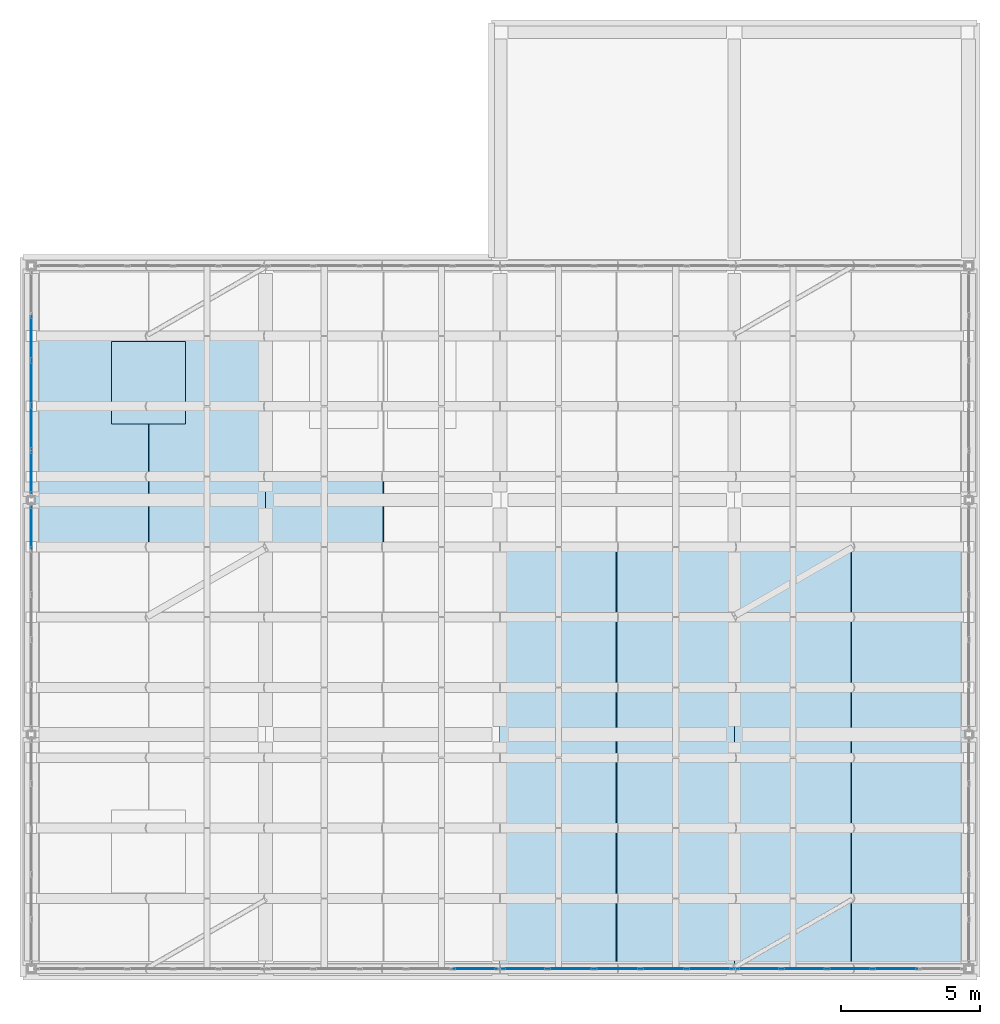
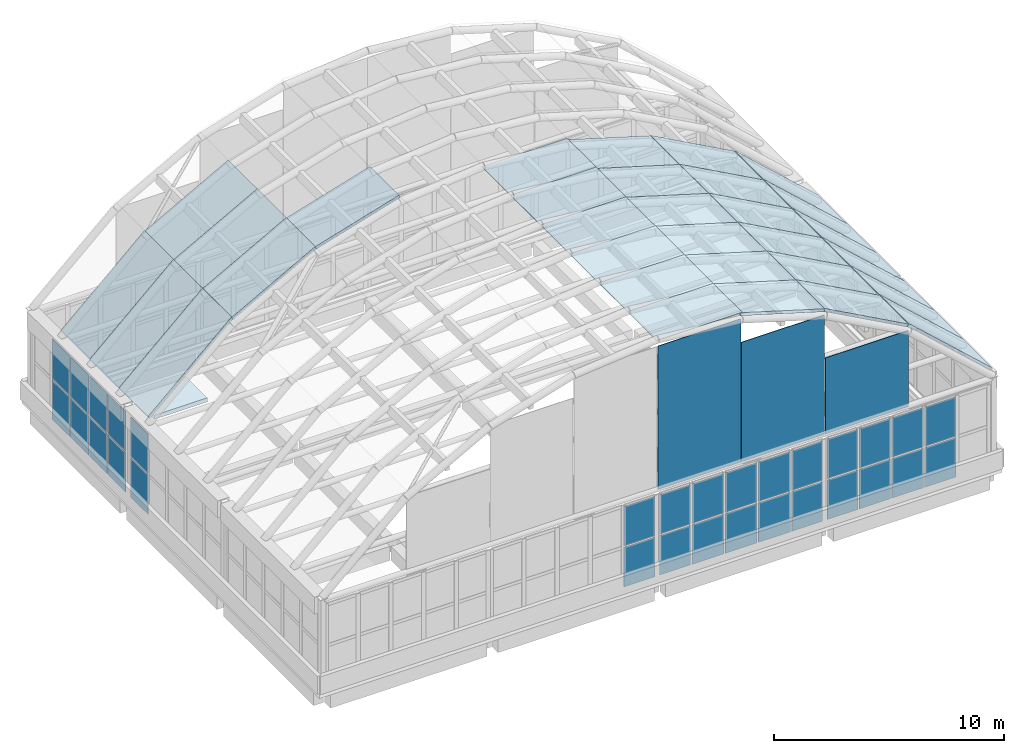
# One storey, part 23 of 26: 39 plates, 26 slabs, 5 elements without a shape of their own.
"""IFC4 building model written with IfcOpenShell, lengths in metres."""

from ifc_helpers import new_model, si_unit, direction, frame, origin, origin_2d, place, context, subcontext, project, spatial, polyline, rectangle, outline, extrude, material, layer, layer_set, type_object, element, aggregate, save


model = new_model("IFC4")

# Units and contexts
model_context = context("Model", 3, precision=1e-05, world=origin(), true_north=direction((0.0, 1.0)))
body_context = subcontext(model_context, "Body", "Model", "MODEL_VIEW")
ifc_project = project(units=[si_unit("LENGTHUNIT", "METRE"), si_unit("AREAUNIT", "SQUARE_METRE"), si_unit("VOLUMEUNIT", "CUBIC_METRE"), si_unit("PLANEANGLEUNIT", "RADIAN"), si_unit("MASSUNIT", "GRAM", prefix="KILO")], contexts=[model_context])

# Site, building, storey
site_placement = place(None, origin())
site = spatial("IfcSite", under=ifc_project, at=site_placement, CompositionType="ELEMENT")
building_placement = place(site_placement, origin())
building = spatial("IfcBuilding", under=site, at=building_placement, Name="Xazarin Passage Department Store", CompositionType="ELEMENT")
storey_placement = place(building_placement, frame((0.0, 0.0, 36.89990234375)))
storey = spatial("IfcBuildingStorey", under=building, at=storey_placement, Name="RF", CompositionType="ELEMENT", Elevation=36.89990234375)

# Curtain wall, plates
ifc_material_1 = material(Name="Bronze anodised aluminium", Category="aluminium")
ifc_layer_1 = layer(ifc_material_1, 0.199951171875)
ifc_layer_set_1 = layer_set([ifc_layer_1], Name="Bronze anodised aluminium")
curtain_wall_type = type_object("IfcCurtainWallType", Name="ARC-CW-VIT2", PredefinedType="NOTDEFINED", material=ifc_layer_set_1)
curtain_wall_1_placement = place(storey_placement, origin())
curtain_wall_1 = element("IfcCurtainWall", 1, at=curtain_wall_1_placement, inside=storey, type_object=curtain_wall_type, Name="RF V1 Atrium Lantern Curtain Wall 03", PredefinedType="NOTDEFINED")
ifc_material_2 = material(Name="Low-E laminated safety glass", Category="glass")
ifc_layer_2 = layer(ifc_material_2, 0.031982421875)
ifc_layer_set_2 = layer_set([ifc_layer_2], Name="Low-E laminated safety glass")
plate_type_1 = type_object("IfcPlateType", Name="ARC-CWP-GLZ32", PredefinedType="CURTAIN_PANEL", material=ifc_layer_set_2)
plate_1_placement = place(storey_placement, frame((0.0, 92.213134765625, 0.0751953125), z_axis=(0.0, 0.0, 1.0), x_axis=(0.0, 1.0, 0.0)))
plate_1 = element("IfcPlate", 2, at=plate_1_placement, type_object=plate_type_1, Name="CW2 panel 5.1", PredefinedType="CURTAIN_PANEL", context=body_context, shape_type="SweptSolid", body=[
    extrude(rectangle(XDim=1.50341796875, YDim=0.031982421875, at=origin_2d()), origin(), (0.0, 0.0, 1.0), 2.089599609375),
])
plate_2_placement = place(storey_placement, frame((0.0, 92.213134765625, 2.23974609375), z_axis=(0.0, 0.0, 1.0), x_axis=(0.0, 1.0, 0.0)))
plate_2 = element("IfcPlate", 3, at=plate_2_placement, type_object=plate_type_1, Name="CW2 panel 5.2", PredefinedType="CURTAIN_PANEL", context=body_context, shape_type="SweptSolid", body=[
    extrude(rectangle(XDim=1.50341796875, YDim=0.031982421875, at=origin_2d()), origin(), (0.0, 0.0, 1.0), 2.089599609375),
])
aggregate(curtain_wall_1, [plate_1, plate_2])

curtain_wall_2_placement = place(storey_placement, origin())
curtain_wall_2 = element("IfcCurtainWall", 4, at=curtain_wall_2_placement, inside=storey, type_object=curtain_wall_type, Name="RF V1 Atrium Lantern Curtain Wall 05", PredefinedType="NOTDEFINED")
plate_3_placement = place(storey_placement, frame((0.0, 94.186767578125, 0.0751953125), z_axis=(0.0, 0.0, 1.0), x_axis=(0.0, 1.0, 0.0)))
plate_3 = element("IfcPlate", 5, at=plate_3_placement, type_object=plate_type_1, Name="CW2 panel 1.1", PredefinedType="CURTAIN_PANEL", context=body_context, shape_type="SweptSolid", body=[
    extrude(rectangle(XDim=1.50341796875, YDim=0.031982421875, at=origin_2d()), origin(), (0.0, 0.0, 1.0), 2.089599609375),
])
plate_4_placement = place(storey_placement, frame((0.0, 94.186767578125, 2.23974609375), z_axis=(0.0, 0.0, 1.0), x_axis=(0.0, 1.0, 0.0)))
plate_4 = element("IfcPlate", 6, at=plate_4_placement, type_object=plate_type_1, Name="CW2 panel 1.2", PredefinedType="CURTAIN_PANEL", context=body_context, shape_type="SweptSolid", body=[
    extrude(rectangle(XDim=1.50341796875, YDim=0.031982421875, at=origin_2d()), origin(), (0.0, 0.0, 1.0), 2.089599609375),
])
plate_5_placement = place(storey_placement, frame((0.0, 95.783935546875, 0.0751953125), z_axis=(0.0, 0.0, 1.0), x_axis=(0.0, 1.0, 0.0)))
plate_5 = element("IfcPlate", 7, at=plate_5_placement, type_object=plate_type_1, Name="CW2 panel 2.1", PredefinedType="CURTAIN_PANEL", context=body_context, shape_type="SweptSolid", body=[
    extrude(rectangle(XDim=1.541015625, YDim=0.031982421875, at=origin_2d()), origin(), (0.0, 0.0, 1.0), 2.089599609375),
])
plate_6_placement = place(storey_placement, frame((0.0, 95.783935546875, 2.23974609375), z_axis=(0.0, 0.0, 1.0), x_axis=(0.0, 1.0, 0.0)))
plate_6 = element("IfcPlate", 8, at=plate_6_placement, type_object=plate_type_1, Name="CW2 panel 2.2", PredefinedType="CURTAIN_PANEL", context=body_context, shape_type="SweptSolid", body=[
    extrude(rectangle(XDim=1.541015625, YDim=0.031982421875, at=origin_2d()), origin(), (0.0, 0.0, 1.0), 2.089599609375),
])
plate_7_placement = place(storey_placement, frame((0.0, 97.39990234375, 0.0751953125), z_axis=(0.0, 0.0, 1.0), x_axis=(0.0, 1.0, 0.0)))
plate_7 = element("IfcPlate", 9, at=plate_7_placement, type_object=plate_type_1, Name="CW2 panel 3.1", PredefinedType="CURTAIN_PANEL", context=body_context, shape_type="SweptSolid", body=[
    extrude(rectangle(XDim=1.541015625, YDim=0.031982421875, at=origin_2d()), origin(), (0.0, 0.0, 1.0), 2.089599609375),
])
plate_8_placement = place(storey_placement, frame((0.0, 97.39990234375, 2.23974609375), z_axis=(0.0, 0.0, 1.0), x_axis=(0.0, 1.0, 0.0)))
plate_8 = element("IfcPlate", 10, at=plate_8_placement, type_object=plate_type_1, Name="CW2 panel 3.2", PredefinedType="CURTAIN_PANEL", context=body_context, shape_type="SweptSolid", body=[
    extrude(rectangle(XDim=1.541015625, YDim=0.031982421875, at=origin_2d()), origin(), (0.0, 0.0, 1.0), 2.089599609375),
])
plate_9_placement = place(storey_placement, frame((0.0, 99.01611328125, 0.0751953125), z_axis=(0.0, 0.0, 1.0), x_axis=(0.0, 1.0, 0.0)))
plate_9 = element("IfcPlate", 11, at=plate_9_placement, type_object=plate_type_1, Name="CW2 panel 4.1", PredefinedType="CURTAIN_PANEL", context=body_context, shape_type="SweptSolid", body=[
    extrude(rectangle(XDim=1.541015625, YDim=0.031982421875, at=origin_2d()), origin(), (0.0, 0.0, 1.0), 2.089599609375),
])
plate_10_placement = place(storey_placement, frame((0.0, 99.01611328125, 2.23974609375), z_axis=(0.0, 0.0, 1.0), x_axis=(0.0, 1.0, 0.0)))
plate_10 = element("IfcPlate", 12, at=plate_10_placement, type_object=plate_type_1, Name="CW2 panel 4.2", PredefinedType="CURTAIN_PANEL", context=body_context, shape_type="SweptSolid", body=[
    extrude(rectangle(XDim=1.541015625, YDim=0.031982421875, at=origin_2d()), origin(), (0.0, 0.0, 1.0), 2.089599609375),
])
aggregate(curtain_wall_2, [plate_3, plate_4, plate_5, plate_6, plate_7, plate_8, plate_9, plate_10])

curtain_wall_3_placement = place(storey_placement, origin())
curtain_wall_3 = element("IfcCurtainWall", 13, at=curtain_wall_3_placement, inside=storey, type_object=curtain_wall_type, Name="RF V1 Atrium Lantern Curtain Wall 09", PredefinedType="NOTDEFINED")
plate_11_placement = place(storey_placement, frame((15.9091796875, 76.39990234375, 0.0751953125), z_axis=(0.0, 0.0, 1.0), x_axis=(1.0, 0.0, 0.0)))
plate_11 = element("IfcPlate", 14, at=plate_11_placement, type_object=plate_type_1, Name="CW2 panel 5.1", PredefinedType="CURTAIN_PANEL", context=body_context, shape_type="SweptSolid", body=[
    extrude(rectangle(XDim=1.551513671875, YDim=0.031982421875, at=origin_2d()), origin(), (0.0, 0.0, 1.0), 2.089599609375),
])
plate_12_placement = place(storey_placement, frame((15.9091796875, 76.39990234375, 2.23974609375), z_axis=(0.0, 0.0, 1.0), x_axis=(1.0, 0.0, 0.0)))
plate_12 = element("IfcPlate", 15, at=plate_12_placement, type_object=plate_type_1, Name="CW2 panel 5.2", PredefinedType="CURTAIN_PANEL", context=body_context, shape_type="SweptSolid", body=[
    extrude(rectangle(XDim=1.551513671875, YDim=0.031982421875, at=origin_2d()), origin(), (0.0, 0.0, 1.0), 2.089599609375),
])
aggregate(curtain_wall_3, [plate_11, plate_12])

curtain_wall_4_placement = place(storey_placement, origin())
curtain_wall_4 = element("IfcCurtainWall", 16, at=curtain_wall_4_placement, inside=storey, type_object=curtain_wall_type, Name="RF V1 Atrium Lantern Curtain Wall 11", PredefinedType="NOTDEFINED")
plate_13_placement = place(storey_placement, frame((17.690673828125, 76.39990234375, 0.0751953125), z_axis=(0.0, 0.0, 1.0), x_axis=(1.0, 0.0, 0.0)))
plate_13 = element("IfcPlate", 17, at=plate_13_placement, type_object=plate_type_1, Name="CW2 panel 1.1", PredefinedType="CURTAIN_PANEL", context=body_context, shape_type="SweptSolid", body=[
    extrude(rectangle(XDim=1.551513671875, YDim=0.031982421875, at=origin_2d()), origin(), (0.0, 0.0, 1.0), 2.089599609375),
])
plate_14_placement = place(storey_placement, frame((17.690673828125, 76.39990234375, 2.23974609375), z_axis=(0.0, 0.0, 1.0), x_axis=(1.0, 0.0, 0.0)))
plate_14 = element("IfcPlate", 18, at=plate_14_placement, type_object=plate_type_1, Name="CW2 panel 1.2", PredefinedType="CURTAIN_PANEL", context=body_context, shape_type="SweptSolid", body=[
    extrude(rectangle(XDim=1.551513671875, YDim=0.031982421875, at=origin_2d()), origin(), (0.0, 0.0, 1.0), 2.089599609375),
])
plate_15_placement = place(storey_placement, frame((19.3359375, 76.39990234375, 0.0751953125), z_axis=(0.0, 0.0, 1.0), x_axis=(1.0, 0.0, 0.0)))
plate_15 = element("IfcPlate", 19, at=plate_15_placement, type_object=plate_type_1, Name="CW2 panel 2.1", PredefinedType="CURTAIN_PANEL", context=body_context, shape_type="SweptSolid", body=[
    extrude(rectangle(XDim=1.589111328125, YDim=0.031982421875, at=origin_2d()), origin(), (0.0, 0.0, 1.0), 2.089599609375),
])
plate_16_placement = place(storey_placement, frame((19.3359375, 76.39990234375, 2.23974609375), z_axis=(0.0, 0.0, 1.0), x_axis=(1.0, 0.0, 0.0)))
plate_16 = element("IfcPlate", 20, at=plate_16_placement, type_object=plate_type_1, Name="CW2 panel 2.2", PredefinedType="CURTAIN_PANEL", context=body_context, shape_type="SweptSolid", body=[
    extrude(rectangle(XDim=1.589111328125, YDim=0.031982421875, at=origin_2d()), origin(), (0.0, 0.0, 1.0), 2.089599609375),
])
plate_17_placement = place(storey_placement, frame((21.0, 76.39990234375, 0.0751953125), z_axis=(0.0, 0.0, 1.0), x_axis=(1.0, 0.0, 0.0)))
plate_17 = element("IfcPlate", 21, at=plate_17_placement, type_object=plate_type_1, Name="CW2 panel 3.1", PredefinedType="CURTAIN_PANEL", context=body_context, shape_type="SweptSolid", body=[
    extrude(rectangle(XDim=1.589111328125, YDim=0.031982421875, at=origin_2d()), origin(), (0.0, 0.0, 1.0), 2.089599609375),
])
plate_18_placement = place(storey_placement, frame((21.0, 76.39990234375, 2.23974609375), z_axis=(0.0, 0.0, 1.0), x_axis=(1.0, 0.0, 0.0)))
plate_18 = element("IfcPlate", 22, at=plate_18_placement, type_object=plate_type_1, Name="CW2 panel 3.2", PredefinedType="CURTAIN_PANEL", context=body_context, shape_type="SweptSolid", body=[
    extrude(rectangle(XDim=1.589111328125, YDim=0.031982421875, at=origin_2d()), origin(), (0.0, 0.0, 1.0), 2.089599609375),
])
plate_19_placement = place(storey_placement, frame((22.6640625, 76.39990234375, 0.0751953125), z_axis=(0.0, 0.0, 1.0), x_axis=(1.0, 0.0, 0.0)))
plate_19 = element("IfcPlate", 23, at=plate_19_placement, type_object=plate_type_1, Name="CW2 panel 4.1", PredefinedType="CURTAIN_PANEL", context=body_context, shape_type="SweptSolid", body=[
    extrude(rectangle(XDim=1.589111328125, YDim=0.031982421875, at=origin_2d()), origin(), (0.0, 0.0, 1.0), 2.089599609375),
])
plate_20_placement = place(storey_placement, frame((22.6640625, 76.39990234375, 2.23974609375), z_axis=(0.0, 0.0, 1.0), x_axis=(1.0, 0.0, 0.0)))
plate_20 = element("IfcPlate", 24, at=plate_20_placement, type_object=plate_type_1, Name="CW2 panel 4.2", PredefinedType="CURTAIN_PANEL", context=body_context, shape_type="SweptSolid", body=[
    extrude(rectangle(XDim=1.589111328125, YDim=0.031982421875, at=origin_2d()), origin(), (0.0, 0.0, 1.0), 2.089599609375),
])
plate_21_placement = place(storey_placement, frame((24.309326171875, 76.39990234375, 0.0751953125), z_axis=(0.0, 0.0, 1.0), x_axis=(1.0, 0.0, 0.0)))
plate_21 = element("IfcPlate", 25, at=plate_21_placement, type_object=plate_type_1, Name="CW2 panel 5.1", PredefinedType="CURTAIN_PANEL", context=body_context, shape_type="SweptSolid", body=[
    extrude(rectangle(XDim=1.551513671875, YDim=0.031982421875, at=origin_2d()), origin(), (0.0, 0.0, 1.0), 2.089599609375),
])
plate_22_placement = place(storey_placement, frame((24.309326171875, 76.39990234375, 2.23974609375), z_axis=(0.0, 0.0, 1.0), x_axis=(1.0, 0.0, 0.0)))
plate_22 = element("IfcPlate", 26, at=plate_22_placement, type_object=plate_type_1, Name="CW2 panel 5.2", PredefinedType="CURTAIN_PANEL", context=body_context, shape_type="SweptSolid", body=[
    extrude(rectangle(XDim=1.551513671875, YDim=0.031982421875, at=origin_2d()), origin(), (0.0, 0.0, 1.0), 2.089599609375),
])
aggregate(curtain_wall_4, [plate_13, plate_14, plate_15, plate_16, plate_17, plate_18, plate_19, plate_20, plate_21, plate_22])

curtain_wall_5_placement = place(storey_placement, origin())
curtain_wall_5 = element("IfcCurtainWall", 27, at=curtain_wall_5_placement, inside=storey, type_object=curtain_wall_type, Name="RF V1 Atrium Lantern Curtain Wall 13", PredefinedType="NOTDEFINED")
plate_23_placement = place(storey_placement, frame((26.078857421875, 76.39990234375, 0.0751953125), z_axis=(0.0, 0.0, 1.0), x_axis=(1.0, 0.0, 0.0)))
plate_23 = element("IfcPlate", 28, at=plate_23_placement, type_object=plate_type_1, Name="CW2 panel 1.1", PredefinedType="CURTAIN_PANEL", context=body_context, shape_type="SweptSolid", body=[
    extrude(rectangle(XDim=1.527587890625, YDim=0.031982421875, at=origin_2d()), origin(), (0.0, 0.0, 1.0), 2.089599609375),
])
plate_24_placement = place(storey_placement, frame((26.078857421875, 76.39990234375, 2.23974609375), z_axis=(0.0, 0.0, 1.0), x_axis=(1.0, 0.0, 0.0)))
plate_24 = element("IfcPlate", 29, at=plate_24_placement, type_object=plate_type_1, Name="CW2 panel 1.2", PredefinedType="CURTAIN_PANEL", context=body_context, shape_type="SweptSolid", body=[
    extrude(rectangle(XDim=1.527587890625, YDim=0.031982421875, at=origin_2d()), origin(), (0.0, 0.0, 1.0), 2.089599609375),
])
plate_25_placement = place(storey_placement, frame((27.699951171875, 76.39990234375, 0.0751953125), z_axis=(0.0, 0.0, 1.0), x_axis=(1.0, 0.0, 0.0)))
plate_25 = element("IfcPlate", 30, at=plate_25_placement, type_object=plate_type_1, Name="CW2 panel 2.1", PredefinedType="CURTAIN_PANEL", context=body_context, shape_type="SweptSolid", body=[
    extrude(rectangle(XDim=1.56494140625, YDim=0.031982421875, at=origin_2d()), origin(), (0.0, 0.0, 1.0), 2.089599609375),
])
plate_26_placement = place(storey_placement, frame((27.699951171875, 76.39990234375, 2.23974609375), z_axis=(0.0, 0.0, 1.0), x_axis=(1.0, 0.0, 0.0)))
plate_26 = element("IfcPlate", 31, at=plate_26_placement, type_object=plate_type_1, Name="CW2 panel 2.2", PredefinedType="CURTAIN_PANEL", context=body_context, shape_type="SweptSolid", body=[
    extrude(rectangle(XDim=1.56494140625, YDim=0.031982421875, at=origin_2d()), origin(), (0.0, 0.0, 1.0), 2.089599609375),
])
plate_27_placement = place(storey_placement, frame((29.340087890625, 76.39990234375, 0.0751953125), z_axis=(0.0, 0.0, 1.0), x_axis=(1.0, 0.0, 0.0)))
plate_27 = element("IfcPlate", 32, at=plate_27_placement, type_object=plate_type_1, Name="CW2 panel 3.1", PredefinedType="CURTAIN_PANEL", context=body_context, shape_type="SweptSolid", body=[
    extrude(rectangle(XDim=1.56494140625, YDim=0.031982421875, at=origin_2d()), origin(), (0.0, 0.0, 1.0), 2.089599609375),
])
plate_28_placement = place(storey_placement, frame((29.340087890625, 76.39990234375, 2.23974609375), z_axis=(0.0, 0.0, 1.0), x_axis=(1.0, 0.0, 0.0)))
plate_28 = element("IfcPlate", 33, at=plate_28_placement, type_object=plate_type_1, Name="CW2 panel 3.2", PredefinedType="CURTAIN_PANEL", context=body_context, shape_type="SweptSolid", body=[
    extrude(rectangle(XDim=1.56494140625, YDim=0.031982421875, at=origin_2d()), origin(), (0.0, 0.0, 1.0), 2.089599609375),
])
plate_29_placement = place(storey_placement, frame((30.97998046875, 76.39990234375, 0.0751953125), z_axis=(0.0, 0.0, 1.0), x_axis=(1.0, 0.0, 0.0)))
plate_29 = element("IfcPlate", 34, at=plate_29_placement, type_object=plate_type_1, Name="CW2 panel 4.1", PredefinedType="CURTAIN_PANEL", context=body_context, shape_type="SweptSolid", body=[
    extrude(rectangle(XDim=1.56494140625, YDim=0.031982421875, at=origin_2d()), origin(), (0.0, 0.0, 1.0), 2.089599609375),
])
plate_30_placement = place(storey_placement, frame((30.97998046875, 76.39990234375, 2.23974609375), z_axis=(0.0, 0.0, 1.0), x_axis=(1.0, 0.0, 0.0)))
plate_30 = element("IfcPlate", 35, at=plate_30_placement, type_object=plate_type_1, Name="CW2 panel 4.2", PredefinedType="CURTAIN_PANEL", context=body_context, shape_type="SweptSolid", body=[
    extrude(rectangle(XDim=1.56494140625, YDim=0.031982421875, at=origin_2d()), origin(), (0.0, 0.0, 1.0), 2.089599609375),
])
aggregate(curtain_wall_5, [plate_23, plate_24, plate_25, plate_26, plate_27, plate_28, plate_29, plate_30])

# Plates
ifc_layer_3 = layer(ifc_material_2, 0.031982421875)
ifc_layer_set_3 = layer_set([ifc_layer_3], Name="Low-E laminated safety glass")
plate_type_2 = type_object("IfcPlateType", Name="ARC-PLT-VGLZ32", PredefinedType="SHEET", material=ifc_layer_set_3)
plate_31_placement = place(storey_placement, frame((18.89990234375, 76.39990234375, 4.64404296875), z_axis=(0.0, 0.0, 1.0), x_axis=(1.0, 0.0, 0.0)))
element("IfcPlate", 36, at=plate_31_placement, inside=storey, type_object=plate_type_2, Name="V1V Glazed Gable Tympanum Panel 1.5", PredefinedType="SHEET", context=body_context, shape_type="SweptSolid", body=[
    extrude(rectangle(XDim=4.159912109375, YDim=0.031982421875, at=origin_2d()), origin(), (0.0, 0.0, 1.0), 7.591064453125),
])
plate_32_placement = place(storey_placement, frame((23.10009765625, 76.39990234375, 4.644287109375), z_axis=(0.0, 0.0, 1.0), x_axis=(1.0, 0.0, 0.0)))
element("IfcPlate", 37, at=plate_32_placement, inside=storey, type_object=plate_type_2, Name="V1V Glazed Gable Tympanum Panel 1.6", PredefinedType="SHEET", context=body_context, shape_type="SweptSolid", body=[
    extrude(rectangle(XDim=4.159912109375, YDim=0.031982421875, at=origin_2d()), origin(), (0.0, 0.0, 1.0), 6.3291015625),
])
plate_33_placement = place(storey_placement, frame((27.300048828125, 76.39990234375, 4.64453125), z_axis=(0.0, 0.0, 1.0), x_axis=(1.0, 0.0, 0.0)))
element("IfcPlate", 38, at=plate_33_placement, inside=storey, type_object=plate_type_2, Name="V1V Glazed Gable Tympanum Panel 1.7", PredefinedType="SHEET", context=body_context, shape_type="SweptSolid", body=[
    extrude(rectangle(XDim=4.159912109375, YDim=0.031982421875, at=origin_2d()), origin(), (0.0, 0.0, 1.0), 4.030029296875),
])
for number, where, z_axis, x_axis, name in (
    (39, (18.89990234375, 77.659912109375, 12.54736328125), (0.0, 0.0, 1.0), (1.0, 0.0, 0.0), "V1V Crown Skylight Glazing Panel 1.5"),
    (40, (18.89990234375, 80.179931640625, 12.54736328125), (0.0, 0.0, 1.0), (1.0, 0.0, 0.0), "V1V Crown Skylight Glazing Panel 2.5"),
    (41, (18.89990234375, 82.699951171875, 12.54736328125), (0.0, 0.0, 1.0), (1.0, 0.0, 0.0), "V1V Crown Skylight Glazing Panel 3.5"),
    (42, (18.89990234375, 85.219970703125, 12.54736328125), (0.0, 0.0, 1.0), (1.0, 0.0, 0.0), "V1V Crown Skylight Glazing Panel 4.5"),
    (43, (18.89990234375, 87.739990234375, 12.54736328125), (0.0, 0.0, 1.0), (1.0, 0.0, 0.0), "V1V Crown Skylight Glazing Panel 5.5"),
    (44, (18.89990234375, 90.260009765625, 12.54736328125), (0.0, 0.0, 1.0), (1.0, 0.0, 0.0), "V1V Crown Skylight Glazing Panel 6.5"),
):
    element("IfcPlate", number, at=place(storey_placement, frame(where, z_axis=z_axis, x_axis=x_axis)), inside=storey, type_object=plate_type_2, Name=name, PredefinedType="SHEET", context=body_context, shape_type="SweptSolid", body=[
        extrude(rectangle(XDim=4.280029296875, YDim=2.60009765625, at=origin_2d()), origin(), (0.0, 0.0, 1.0), 0.031982421875),
    ])

# Slabs
ifc_material_3 = material(Name="Concrete C35/45", Category="concrete")
ifc_layer_4 = layer(ifc_material_3, 0.2099609375)
ifc_layer_set_4 = layer_set([ifc_layer_4], Name="Concrete C35/45")
slab_type_1 = type_object("IfcSlabType", Name="STR-SLB-OVR210", PredefinedType="ROOF", material=ifc_layer_set_4)
slab_1_placement = place(storey_placement, frame((0.0, 0.0, 1.400146484375)))
element("IfcSlab", 45, at=slab_1_placement, inside=storey, type_object=slab_type_1, Name="Lift PL2 Overrun Roof Slab", PredefinedType="ROOF", context=body_context, shape_type="SweptSolid", body=[
    extrude(outline(polyline([(2.8701171875, 95.919921875), (5.530029296875, 95.919921875), (5.530029296875, 98.8798828125), (2.8701171875, 98.8798828125), (2.8701171875, 95.919921875)])), origin(), (0.0, 0.0, 1.0), 0.2099609375),
])
ifc_material_4 = material(Name="Concrete C40/50", Category="concrete")
ifc_layer_5 = layer(ifc_material_4, 0.239990234375)
ifc_layer_set_5 = layer_set([ifc_layer_5], Name="Concrete C40/50")
slab_type_2 = type_object("IfcSlabType", Name="STR-SLB-SHL240", PredefinedType="ROOF", material=ifc_layer_set_5)
slab_2_placement = place(storey_placement, frame((21.0, 76.39990234375, 12.542236328125), z_axis=(0.287761558044, 0.0, 0.957702086096), x_axis=(0.957702086096, 0.0, -0.287761558044)))
element("IfcSlab", 46, at=slab_2_placement, inside=storey, type_object=slab_type_2, Name="V1V Vaulted Roof Deck Facet 1.6", PredefinedType="ROOF", context=body_context, shape_type="SweptSolid", body=[
    extrude(outline(polyline([(0.0, 0.0), (4.385446406404802, 0.0), (4.385446406404802, 2.52001953125), (0.0, 2.52001953125), (0.0, 0.0)])), origin(), (0.0, 0.0, -1.0), 0.159912109375),
])
slab_3_placement = place(storey_placement, frame((25.199951171875, 76.39990234375, 11.29541015625), z_axis=(0.480130617978, 0.0, 0.877197007336), x_axis=(0.877197007336, 0.0, -0.480130617978)))
element("IfcSlab", 47, at=slab_3_placement, inside=storey, type_object=slab_type_2, Name="V1V Vaulted Roof Deck Facet 1.7", PredefinedType="ROOF", context=body_context, shape_type="SweptSolid", body=[
    extrude(outline(polyline([(0.0, 0.0), (4.787922367209519, 0.0), (4.787922367209519, 2.5200195312500004), (0.0, 2.5200195312500004), (0.0, 0.0)])), origin(), (0.0, 0.0, -1.0), 0.159912109375),
])
slab_4_placement = place(storey_placement, frame((29.39990234375, 76.39990234375, 9.03076171875), z_axis=(0.673800762597, 0.0, 0.738913074944), x_axis=(0.738913074944, 0.0, -0.673800762597)))
element("IfcSlab", 48, at=slab_4_placement, inside=storey, type_object=slab_type_2, Name="V1V Vaulted Roof Deck Facet 1.8", PredefinedType="ROOF", context=body_context, shape_type="SweptSolid", body=[
    extrude(outline(polyline([(0.0, 0.0), (5.68428879515727, 0.0), (5.68428879515727, 2.52001953125), (0.0, 2.52001953125), (0.0, 0.0)])), origin(), (0.0, 0.0, -1.0), 0.159912109375),
])
slab_5_placement = place(storey_placement, frame((21.0, 78.919921875, 12.542236328125), z_axis=(0.287761558044, 0.0, 0.957702086096), x_axis=(0.957702086096, 0.0, -0.287761558044)))
element("IfcSlab", 49, at=slab_5_placement, inside=storey, type_object=slab_type_2, Name="V1V Vaulted Roof Deck Facet 2.6", PredefinedType="ROOF", context=body_context, shape_type="SweptSolid", body=[
    extrude(outline(polyline([(0.0, 0.0), (4.385446406404802, 0.0), (4.385446406404802, 2.52001953125), (0.0, 2.52001953125), (0.0, 0.0)])), origin(), (0.0, 0.0, -1.0), 0.159912109375),
])
slab_6_placement = place(storey_placement, frame((25.199951171875, 78.919921875, 11.29541015625), z_axis=(0.480130617978, 0.0, 0.877197007336), x_axis=(0.877197007336, 0.0, -0.480130617978)))
element("IfcSlab", 50, at=slab_6_placement, inside=storey, type_object=slab_type_2, Name="V1V Vaulted Roof Deck Facet 2.7", PredefinedType="ROOF", context=body_context, shape_type="SweptSolid", body=[
    extrude(outline(polyline([(0.0, 0.0), (4.787922367209519, 0.0), (4.787922367209519, 2.5200195312500004), (0.0, 2.5200195312500004), (0.0, 0.0)])), origin(), (0.0, 0.0, -1.0), 0.159912109375),
])
slab_7_placement = place(storey_placement, frame((29.39990234375, 78.919921875, 9.03076171875), z_axis=(0.673800762597, 0.0, 0.738913074944), x_axis=(0.738913074944, 0.0, -0.673800762597)))
element("IfcSlab", 51, at=slab_7_placement, inside=storey, type_object=slab_type_2, Name="V1V Vaulted Roof Deck Facet 2.8", PredefinedType="ROOF", context=body_context, shape_type="SweptSolid", body=[
    extrude(outline(polyline([(0.0, 0.0), (5.68428879515727, 0.0), (5.68428879515727, 2.52001953125), (0.0, 2.52001953125), (0.0, 0.0)])), origin(), (0.0, 0.0, -1.0), 0.159912109375),
])
slab_8_placement = place(storey_placement, frame((21.0, 81.43994140625, 12.542236328125), z_axis=(0.287761558044, 0.0, 0.957702086096), x_axis=(0.957702086096, 0.0, -0.287761558044)))
element("IfcSlab", 52, at=slab_8_placement, inside=storey, type_object=slab_type_2, Name="V1V Vaulted Roof Deck Facet 3.6", PredefinedType="ROOF", context=body_context, shape_type="SweptSolid", body=[
    extrude(outline(polyline([(0.0, 0.0), (4.385446406404802, 0.0), (4.385446406404802, 2.52001953125), (0.0, 2.52001953125), (0.0, 0.0)])), origin(), (0.0, 0.0, -1.0), 0.159912109375),
])
slab_9_placement = place(storey_placement, frame((25.199951171875, 81.43994140625, 11.29541015625), z_axis=(0.480130617978, 0.0, 0.877197007336), x_axis=(0.877197007336, 0.0, -0.480130617978)))
element("IfcSlab", 53, at=slab_9_placement, inside=storey, type_object=slab_type_2, Name="V1V Vaulted Roof Deck Facet 3.7", PredefinedType="ROOF", context=body_context, shape_type="SweptSolid", body=[
    extrude(outline(polyline([(0.0, 0.0), (4.787922367209519, 0.0), (4.787922367209519, 2.5200195312500004), (0.0, 2.5200195312500004), (0.0, 0.0)])), origin(), (0.0, 0.0, -1.0), 0.159912109375),
])
slab_10_placement = place(storey_placement, frame((29.39990234375, 81.43994140625, 9.03076171875), z_axis=(0.673800762597, 0.0, 0.738913074944), x_axis=(0.738913074944, 0.0, -0.673800762597)))
element("IfcSlab", 54, at=slab_10_placement, inside=storey, type_object=slab_type_2, Name="V1V Vaulted Roof Deck Facet 3.8", PredefinedType="ROOF", context=body_context, shape_type="SweptSolid", body=[
    extrude(outline(polyline([(0.0, 0.0), (5.68428879515727, 0.0), (5.68428879515727, 2.52001953125), (0.0, 2.52001953125), (0.0, 0.0)])), origin(), (0.0, 0.0, -1.0), 0.159912109375),
])
slab_11_placement = place(storey_placement, frame((21.0, 83.9599609375, 12.542236328125), z_axis=(0.287761558044, 0.0, 0.957702086096), x_axis=(0.957702086096, 0.0, -0.287761558044)))
element("IfcSlab", 55, at=slab_11_placement, inside=storey, type_object=slab_type_2, Name="V1V Vaulted Roof Deck Facet 4.6", PredefinedType="ROOF", context=body_context, shape_type="SweptSolid", body=[
    extrude(outline(polyline([(0.0, 0.0), (4.385446406404802, 0.0), (4.385446406404802, 2.52001953125), (0.0, 2.52001953125), (0.0, 0.0)])), origin(), (0.0, 0.0, -1.0), 0.159912109375),
])
slab_12_placement = place(storey_placement, frame((25.199951171875, 83.9599609375, 11.29541015625), z_axis=(0.480130617978, 0.0, 0.877197007336), x_axis=(0.877197007336, 0.0, -0.480130617978)))
element("IfcSlab", 56, at=slab_12_placement, inside=storey, type_object=slab_type_2, Name="V1V Vaulted Roof Deck Facet 4.7", PredefinedType="ROOF", context=body_context, shape_type="SweptSolid", body=[
    extrude(outline(polyline([(0.0, 0.0), (4.787922367209519, 0.0), (4.787922367209519, 2.5200195312500004), (0.0, 2.5200195312500004), (0.0, 0.0)])), origin(), (0.0, 0.0, -1.0), 0.159912109375),
])
slab_13_placement = place(storey_placement, frame((29.39990234375, 83.9599609375, 9.03076171875), z_axis=(0.673800762597, 0.0, 0.738913074944), x_axis=(0.738913074944, 0.0, -0.673800762597)))
element("IfcSlab", 57, at=slab_13_placement, inside=storey, type_object=slab_type_2, Name="V1V Vaulted Roof Deck Facet 4.8", PredefinedType="ROOF", context=body_context, shape_type="SweptSolid", body=[
    extrude(outline(polyline([(0.0, 0.0), (5.68428879515727, 0.0), (5.68428879515727, 2.52001953125), (0.0, 2.52001953125), (0.0, 0.0)])), origin(), (0.0, 0.0, -1.0), 0.159912109375),
])
slab_14_placement = place(storey_placement, frame((21.0, 86.47998046875, 12.542236328125), z_axis=(0.287761558044, 0.0, 0.957702086096), x_axis=(0.957702086096, 0.0, -0.287761558044)))
element("IfcSlab", 58, at=slab_14_placement, inside=storey, type_object=slab_type_2, Name="V1V Vaulted Roof Deck Facet 5.6", PredefinedType="ROOF", context=body_context, shape_type="SweptSolid", body=[
    extrude(outline(polyline([(0.0, 0.0), (4.385446406404802, 0.0), (4.385446406404802, 2.52001953125), (0.0, 2.52001953125), (0.0, 0.0)])), origin(), (0.0, 0.0, -1.0), 0.159912109375),
])
slab_15_placement = place(storey_placement, frame((25.199951171875, 86.47998046875, 11.29541015625), z_axis=(0.480130617978, 0.0, 0.877197007336), x_axis=(0.877197007336, 0.0, -0.480130617978)))
element("IfcSlab", 59, at=slab_15_placement, inside=storey, type_object=slab_type_2, Name="V1V Vaulted Roof Deck Facet 5.7", PredefinedType="ROOF", context=body_context, shape_type="SweptSolid", body=[
    extrude(outline(polyline([(0.0, 0.0), (4.787922367209519, 0.0), (4.787922367209519, 2.5200195312500004), (0.0, 2.5200195312500004), (0.0, 0.0)])), origin(), (0.0, 0.0, -1.0), 0.159912109375),
])
slab_16_placement = place(storey_placement, frame((29.39990234375, 86.47998046875, 9.03076171875), z_axis=(0.673800762597, 0.0, 0.738913074944), x_axis=(0.738913074944, 0.0, -0.673800762597)))
element("IfcSlab", 60, at=slab_16_placement, inside=storey, type_object=slab_type_2, Name="V1V Vaulted Roof Deck Facet 5.8", PredefinedType="ROOF", context=body_context, shape_type="SweptSolid", body=[
    extrude(outline(polyline([(0.0, 0.0), (5.68428879515727, 0.0), (5.68428879515727, 2.52001953125), (0.0, 2.52001953125), (0.0, 0.0)])), origin(), (0.0, 0.0, -1.0), 0.159912109375),
])
slab_17_placement = place(storey_placement, frame((21.0, 89.0, 12.542236328125), z_axis=(0.287761558044, 0.0, 0.957702086096), x_axis=(0.957702086096, 0.0, -0.287761558044)))
element("IfcSlab", 61, at=slab_17_placement, inside=storey, type_object=slab_type_2, Name="V1V Vaulted Roof Deck Facet 6.6", PredefinedType="ROOF", context=body_context, shape_type="SweptSolid", body=[
    extrude(outline(polyline([(0.0, 0.0), (4.385446406404802, 0.0), (4.385446406404802, 2.52001953125), (0.0, 2.52001953125), (0.0, 0.0)])), origin(), (0.0, 0.0, -1.0), 0.159912109375),
])
slab_18_placement = place(storey_placement, frame((25.199951171875, 89.0, 11.29541015625), z_axis=(0.480130617978, 0.0, 0.877197007336), x_axis=(0.877197007336, 0.0, -0.480130617978)))
element("IfcSlab", 62, at=slab_18_placement, inside=storey, type_object=slab_type_2, Name="V1V Vaulted Roof Deck Facet 6.7", PredefinedType="ROOF", context=body_context, shape_type="SweptSolid", body=[
    extrude(outline(polyline([(0.0, 0.0), (4.787922367209519, 0.0), (4.787922367209519, 2.5200195312500004), (0.0, 2.5200195312500004), (0.0, 0.0)])), origin(), (0.0, 0.0, -1.0), 0.159912109375),
])
slab_19_placement = place(storey_placement, frame((29.39990234375, 89.0, 9.03076171875), z_axis=(0.673800762597, 0.0, 0.738913074944), x_axis=(0.738913074944, 0.0, -0.673800762597)))
element("IfcSlab", 63, at=slab_19_placement, inside=storey, type_object=slab_type_2, Name="V1V Vaulted Roof Deck Facet 6.8", PredefinedType="ROOF", context=body_context, shape_type="SweptSolid", body=[
    extrude(outline(polyline([(0.0, 0.0), (5.68428879515727, 0.0), (5.68428879515727, 2.52001953125), (0.0, 2.52001953125), (0.0, 0.0)])), origin(), (0.0, 0.0, -1.0), 0.159912109375),
])
slab_20_placement = place(storey_placement, frame((0.0, 91.52001953125, 5.20068359375), z_axis=(-0.673822146985, 0.0, 0.738893574361), x_axis=(0.738893574361, 0.0, 0.673822146985)))
element("IfcSlab", 64, at=slab_20_placement, inside=storey, type_object=slab_type_2, Name="V1V Vaulted Roof Deck Facet 7.1", PredefinedType="ROOF", context=body_context, shape_type="SweptSolid", body=[
    extrude(outline(polyline([(0.0, 0.0), (5.684108398837737, 0.0), (5.684108398837737, 2.52001953125), (0.0, 2.52001953125), (0.0, 0.0)])), origin(), (0.0, 0.0, -1.0), 0.159912109375),
])
slab_21_placement = place(storey_placement, frame((4.199951171875, 91.52001953125, 8.99658203125), z_axis=(-0.480130617978, 0.0, 0.877197007336), x_axis=(0.877197007336, 0.0, 0.480130617978)))
element("IfcSlab", 65, at=slab_21_placement, inside=storey, type_object=slab_type_2, Name="V1V Vaulted Roof Deck Facet 7.2", PredefinedType="ROOF", context=body_context, shape_type="SweptSolid", body=[
    extrude(outline(polyline([(0.0, 0.0), (4.787922367209519, 0.0), (4.787922367209519, 2.5200195312500004), (0.0, 2.5200195312500004), (0.0, 0.0)])), origin(), (0.0, 0.0, -1.0), 0.159912109375),
])
slab_22_placement = place(storey_placement, frame((8.39990234375, 91.52001953125, 11.2802734375), z_axis=(-0.287746216561, 0.0, 0.95770669563), x_axis=(0.95770669563, 0.0, 0.287746216561)))
element("IfcSlab", 66, at=slab_22_placement, inside=storey, type_object=slab_type_2, Name="V1V Vaulted Roof Deck Facet 7.3", PredefinedType="ROOF", context=body_context, shape_type="SweptSolid", body=[
    extrude(outline(polyline([(0.0, 0.0), (4.385680220953368, 0.0), (4.385680220953368, 2.52001953125), (0.0, 2.52001953125), (0.0, 0.0)])), origin(), (0.0, 0.0, -1.0), 0.159912109375),
])
slab_23_placement = place(storey_placement, frame((0.0, 94.0400390625, 5.20068359375), z_axis=(-0.673822146985, 0.0, 0.738893574361), x_axis=(0.738893574361, 0.0, 0.673822146985)))
element("IfcSlab", 67, at=slab_23_placement, inside=storey, type_object=slab_type_2, Name="V1V Vaulted Roof Deck Facet 8.1", PredefinedType="ROOF", context=body_context, shape_type="SweptSolid", body=[
    extrude(outline(polyline([(0.0, 0.0), (5.684108398837737, 0.0), (5.684108398837737, 2.52001953125), (0.0, 2.52001953125), (0.0, 0.0)])), origin(), (0.0, 0.0, -1.0), 0.159912109375),
])
slab_24_placement = place(storey_placement, frame((4.199951171875, 94.0400390625, 8.99658203125), z_axis=(-0.480130617978, 0.0, 0.877197007336), x_axis=(0.877197007336, 0.0, 0.480130617978)))
element("IfcSlab", 68, at=slab_24_placement, inside=storey, type_object=slab_type_2, Name="V1V Vaulted Roof Deck Facet 8.2", PredefinedType="ROOF", context=body_context, shape_type="SweptSolid", body=[
    extrude(outline(polyline([(0.0, 0.0), (4.787922367209519, 0.0), (4.787922367209519, 2.5200195312500004), (0.0, 2.5200195312500004), (0.0, 0.0)])), origin(), (0.0, 0.0, -1.0), 0.159912109375),
])
slab_25_placement = place(storey_placement, frame((0.0, 96.56005859375, 5.20068359375), z_axis=(-0.673822146985, 0.0, 0.738893574361), x_axis=(0.738893574361, 0.0, 0.673822146985)))
element("IfcSlab", 69, at=slab_25_placement, inside=storey, type_object=slab_type_2, Name="V1V Vaulted Roof Deck Facet 9.1", PredefinedType="ROOF", context=body_context, shape_type="SweptSolid", body=[
    extrude(outline(polyline([(0.0, 0.0), (5.684108398837737, 0.0), (5.684108398837737, 2.52001953125), (0.0, 2.52001953125), (0.0, 0.0)])), origin(), (0.0, 0.0, -1.0), 0.159912109375),
])
slab_26_placement = place(storey_placement, frame((4.199951171875, 96.56005859375, 8.99658203125), z_axis=(-0.480130617978, 0.0, 0.877197007336), x_axis=(0.877197007336, 0.0, 0.480130617978)))
element("IfcSlab", 70, at=slab_26_placement, inside=storey, type_object=slab_type_2, Name="V1V Vaulted Roof Deck Facet 9.2", PredefinedType="ROOF", context=body_context, shape_type="SweptSolid", body=[
    extrude(outline(polyline([(0.0, 0.0), (4.787922367209519, 0.0), (4.787922367209519, 2.5200195312500004), (0.0, 2.5200195312500004), (0.0, 0.0)])), origin(), (0.0, 0.0, -1.0), 0.159912109375),
])

save(model, "model.ifc")
